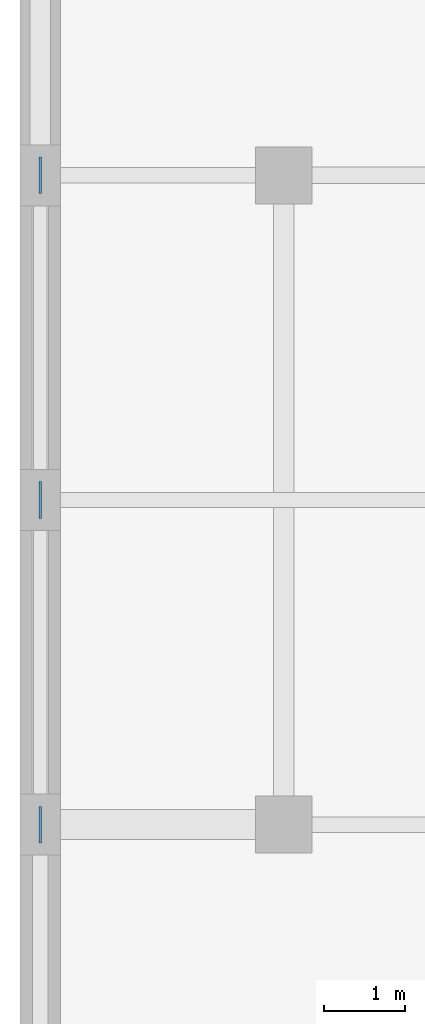
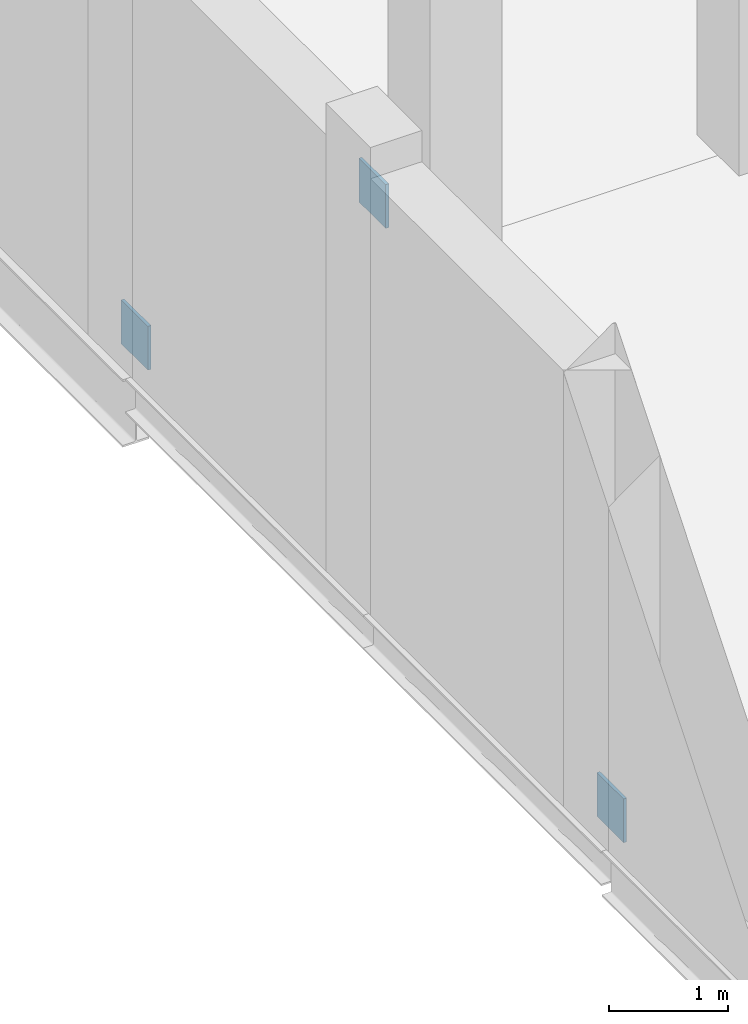
# One storey, part 93 of 114: 3 plates.
"""IFC4 building model written with IfcOpenShell, lengths in metres."""

from ifc_helpers import new_model, si_unit, direction, frame, origin, origin_2d, place, context, subcontext, project, spatial, rectangle, extrude, material, layer, layer_set, type_object, element, save


model = new_model("IFC4")

# Units and contexts
model_context = context("Model", 3, precision=1e-05, world=origin(), true_north=direction((0.0, 1.0)))
body_context = subcontext(model_context, "Body", "Model", "MODEL_VIEW")
ifc_project = project(units=[si_unit("LENGTHUNIT", "METRE"), si_unit("AREAUNIT", "SQUARE_METRE"), si_unit("VOLUMEUNIT", "CUBIC_METRE"), si_unit("PLANEANGLEUNIT", "RADIAN"), si_unit("MASSUNIT", "GRAM", prefix="KILO")], contexts=[model_context])

# Site, building, storey
site_placement = place(None, origin())
site = spatial("IfcSite", under=ifc_project, at=site_placement, CompositionType="ELEMENT")
building_placement = place(site_placement, origin())
building = spatial("IfcBuilding", under=site, at=building_placement, Name="Verrall Gate Interchange", CompositionType="ELEMENT")
storey_placement = place(building_placement, frame((0.0, 0.0, 6.60009765625)))
storey = spatial("IfcBuildingStorey", under=building, at=storey_placement, Name="L02", CompositionType="ELEMENT", Elevation=6.60009765625)

# Plates
ifc_material = material(Name="Structural Steel CSA G40.21 350WT Cat 4", Category="steel")
ifc_layer = layer(ifc_material, 0.030029296875)
ifc_layer_set = layer_set([ifc_layer], Name="Structural Steel CSA G40.21 350WT Cat 4")
plate_type = type_object("IfcPlateType", Name="GP-02 Gusset Plate 30", PredefinedType="SHEET", material=ifc_layer_set)
for number, where, z_axis, x_axis, name in (
    (1, (0.0, 40.0, -0.0849609375), (0.0, 0.0, 1.0), (1.0, 0.0, 0.0), "Chevron Brace Gusset Node CBF3-L02-BA"),
    (2, (0.0, 48.0, -0.0849609375), (0.0, 0.0, 1.0), (1.0, 0.0, 0.0), "Chevron Brace Gusset Node CBF3-L02-BB"),
    (3, (0.0, 44.0, 3.794921875), (0.0, 0.0, 1.0), (1.0, 0.0, 0.0), "Chevron Brace Gusset Node CBF3-L02-AP"),
):
    element("IfcPlate", number, at=place(storey_placement, frame(where, z_axis=z_axis, x_axis=x_axis)), inside=storey, type_object=plate_type, Name=name, PredefinedType="SHEET", context=body_context, shape_type="SweptSolid", body=[
        extrude(rectangle(XDim=0.030029296875, YDim=0.449951171875, at=origin_2d()), origin(), (0.0, 0.0, 1.0), 0.449951171875),
    ])

save(model, "model.ifc")
